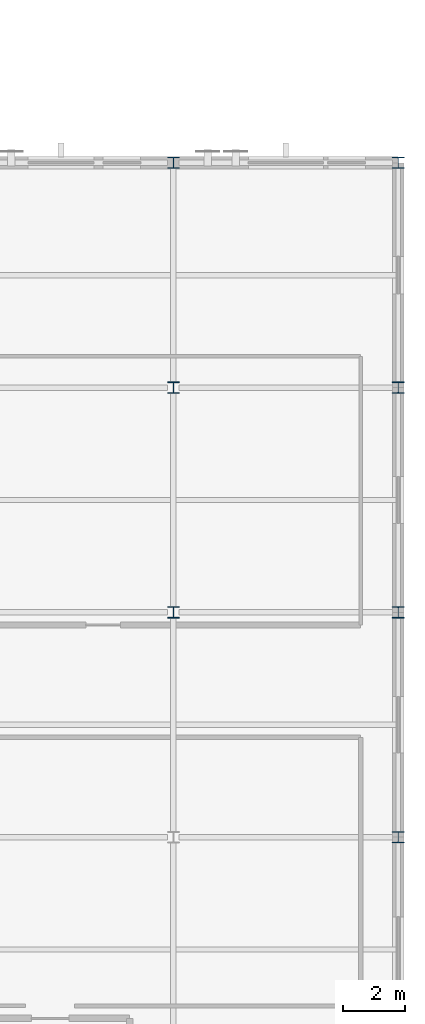
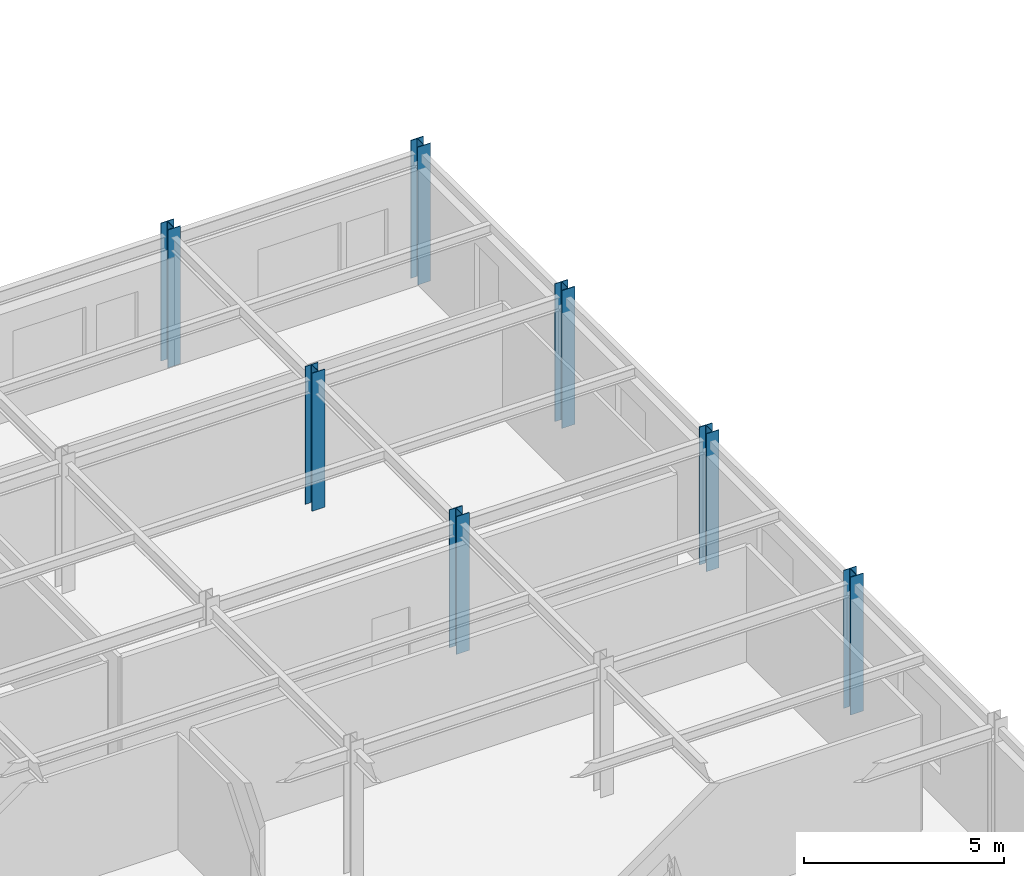
# One storey, part 16 of 113: 7 columns.
"""IFC4 building model written with IfcOpenShell, lengths in metres."""

from ifc_helpers import new_model, si_unit, direction, frame, origin, origin_2d, place, context, subcontext, project, spatial, i_section, extrude, material, material_profile, profile_set, type_object, element, save


model = new_model("IFC4")

# Units and contexts
model_context = context("Model", 3, precision=1e-05, world=origin(), true_north=direction((0.0, 1.0)))
body_context = subcontext(model_context, "Body", "Model", "MODEL_VIEW")
ifc_project = project(units=[si_unit("LENGTHUNIT", "METRE"), si_unit("AREAUNIT", "SQUARE_METRE"), si_unit("VOLUMEUNIT", "CUBIC_METRE"), si_unit("PLANEANGLEUNIT", "RADIAN"), si_unit("MASSUNIT", "GRAM", prefix="KILO")], contexts=[model_context])

# Site, building, storey
site_placement = place(None, origin())
site = spatial("IfcSite", under=ifc_project, at=site_placement, CompositionType="ELEMENT")
building_placement = place(site_placement, origin())
building = spatial("IfcBuilding", under=site, at=building_placement, Name="Carrowvane Square Congress Hotel", CompositionType="ELEMENT")
storey_placement = place(building_placement, frame((0.0, 0.0, 15.0)))
storey = spatial("IfcBuildingStorey", under=building, at=storey_placement, Name="L03", CompositionType="ELEMENT", Elevation=15.0)

# Columns
ifc_material = material(Name="Steel S355", Category="steel")
ifc_material_profile = material_profile(ifc_material, i_section(OverallWidth=0.37060546875, OverallDepth=0.362060546875, WebThickness=0.01220703125, FlangeThickness=0.020751953125, FilletRadius=0.01513671875, at=origin_2d()), Name="UKC 356x368x153")
ifc_profile_set = profile_set([ifc_material_profile], Name="Steel S355")
column_type = type_object("IfcColumnType", Name="COL-ST-UKC356", PredefinedType="COLUMN", material=ifc_profile_set)
for number, where, z_axis, x_axis, name in (
    (1, (177.199951171875, 77.39990234375, 0.0), (0.0, 0.0, 1.0), (1.0, 0.0, 0.0), "L03 column 24/L"),
    (2, (177.199951171875, 84.60009765625, 0.0), (0.0, 0.0, 1.0), (1.0, 0.0, 0.0), "L03 column 24/M"),
    (3, (177.199951171875, 91.800048828125, 0.0), (0.0, 0.0, 1.0), (1.0, 0.0, 0.0), "L03 column 24/N"),
    (4, (184.39990234375, 70.199951171875, 0.0), (0.0, 0.0, 1.0), (1.0, 0.0, 0.0), "L03 column 25/K"),
    (5, (184.39990234375, 77.39990234375, 0.0), (0.0, 0.0, 1.0), (1.0, 0.0, 0.0), "L03 column 25/L"),
    (6, (184.39990234375, 84.60009765625, 0.0), (0.0, 0.0, 1.0), (1.0, 0.0, 0.0), "L03 column 25/M"),
    (7, (184.39990234375, 91.800048828125, 0.0), (0.0, 0.0, 1.0), (1.0, 0.0, 0.0), "L03 column 25/N"),
):
    element("IfcColumn", number, at=place(storey_placement, frame(where, z_axis=z_axis, x_axis=x_axis)), inside=storey, type_object=column_type, Name=name, PredefinedType="COLUMN", context=body_context, shape_type="SweptSolid", body=[
        extrude(i_section(OverallWidth=0.37060546875, OverallDepth=0.362060546875, WebThickness=0.01220703125, FlangeThickness=0.020751953125, FilletRadius=0.01513671875, at=origin_2d()), origin(), (0.0, 0.0, 1.0), 4.199951171875),
    ])

save(model, "model.ifc")
